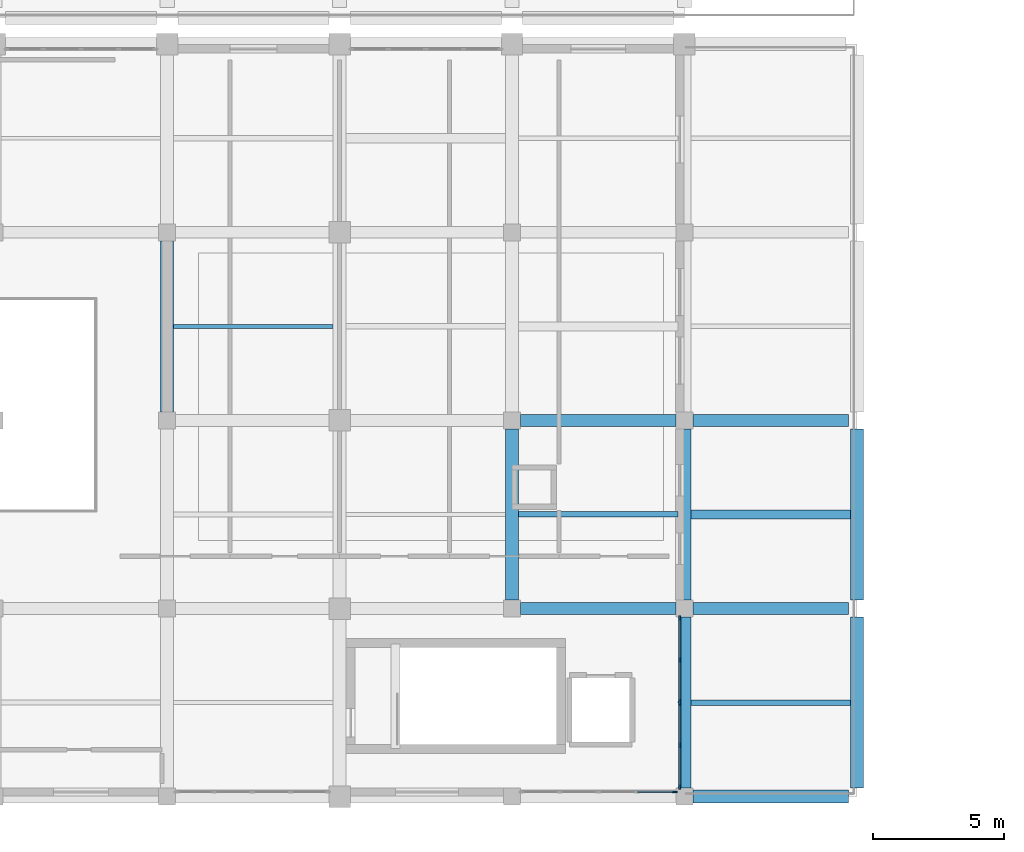
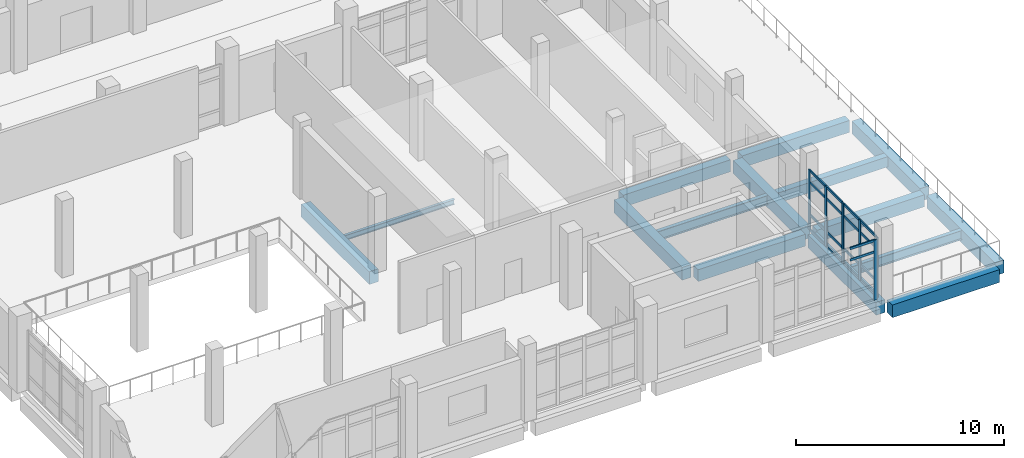
# One storey, part 6 of 54: 25 members, 15 beams, 3 elements without a shape of their own.
"""IFC4 building model written with IfcOpenShell, lengths in metres."""

import ifcopenshell
import ifcopenshell.guid

model = None  # the IFC model being written
_history = None  # IfcOwnerHistory: only IFC2X3 demands one
_inside = {}  # id of a spatial element -> (the spatial element, [elements in it])
_under = {}  # id of a project, library or spatial element -> (it, [spatial elements below it])
_declared = {}  # id of a project -> (the project, [libraries it declares])
_typed = {}  # id of a type object -> (the type object, [elements of that type])
_made_of = {}  # id of a material, layer set ... -> (it, [elements and type objects made of it])


def new_model(schema):
    """Start an empty IFC model of exactly this schema.

    Asked for "IFC4X3", IfcOpenShell would pick the latest addendum, in which some entities
    have other attributes; the version numbers below select the first issue.
    IFC2X3 requires an IfcOwnerHistory on every rooted entity: one is made here for all.
    """
    global model, _history
    if schema == "IFC4X3":
        model = ifcopenshell.file(schema_version=(4, 3, 0, 0))
    else:
        model = ifcopenshell.file(schema=schema)
    _inside.clear()
    _under.clear()
    _declared.clear()
    _typed.clear()
    _made_of.clear()
    _history = None
    if model.schema == "IFC2X3":
        org = make("IfcOrganization", Name="unknown")
        user = make(
            "IfcPersonAndOrganization",
            ThePerson=make("IfcPerson", FamilyName="unknown"),
            TheOrganization=org,
        )
        app = make(
            "IfcApplication",
            ApplicationDeveloper=org,
            Version="unknown",
            ApplicationFullName="unknown",
            ApplicationIdentifier="unknown",
        )
        _history = make(
            "IfcOwnerHistory",
            OwningUser=user,
            OwningApplication=app,
            ChangeAction="ADDED",
            CreationDate=0,
        )
    return model


def make(cls, **values):
    """One entity of the class cls with the attributes given. An attribute that is None is left unset."""
    return model.create_entity(
        cls, **{name: value for name, value in values.items() if value is not None}
    )


def rooted(cls, **values):
    """An entity with a GlobalId (a new one), such as an element, a storey or a relation."""
    return make(cls, GlobalId=ifcopenshell.guid.new(), OwnerHistory=_history, **values)


def si_unit(unit_type, name, prefix=None):
    """IfcSIUnit, for example si_unit("LENGTHUNIT", "METRE", prefix="MILLI")."""
    return make("IfcSIUnit", UnitType=unit_type, Prefix=prefix, Name=name)


def assignment(units):
    """IfcUnitAssignment: the units of a project."""
    return None if units is None else make("IfcUnitAssignment", Units=units)


def point(xyz):
    """IfcCartesianPoint."""
    return None if xyz is None else make("IfcCartesianPoint", Coordinates=xyz)


def direction(xyz):
    """IfcDirection."""
    return None if xyz is None else make("IfcDirection", DirectionRatios=xyz)


def frame(location, z_axis=None, x_axis=None):
    """IfcAxis2Placement3D, a coordinate frame: its origin and axes. An axis left out is left unset."""
    return make(
        "IfcAxis2Placement3D",
        Location=point(location),
        Axis=direction(z_axis),
        RefDirection=direction(x_axis),
    )


def frame_2d(location, x_axis=None):
    """IfcAxis2Placement2D, a coordinate frame in the plane: its origin and x axis."""
    return make(
        "IfcAxis2Placement2D", Location=point(location), RefDirection=direction(x_axis)
    )


def origin():
    """The frame at (0, 0, 0) with its axes left unset."""
    return frame((0.0, 0.0, 0.0))


def origin_2d():
    """The frame at (0, 0) in the plane with its x axis left unset."""
    return frame_2d((0.0, 0.0))


def place(relative_to, where):
    """IfcLocalPlacement: puts the frame where relative to a parent placement (None: the world)."""
    return make(
        "IfcLocalPlacement", PlacementRelTo=relative_to, RelativePlacement=where
    )


def context(
    kind, dimensions, precision=None, world=None, true_north=None, identifier=None
):
    """IfcGeometricRepresentationContext, for example the 3D "Model" context."""
    return make(
        "IfcGeometricRepresentationContext",
        ContextIdentifier=identifier,
        ContextType=kind,
        CoordinateSpaceDimension=dimensions,
        Precision=precision,
        WorldCoordinateSystem=world,
        TrueNorth=true_north,
    )


def subcontext(parent, identifier, kind, view, scale=None):
    """IfcGeometricRepresentationSubContext, for example "Body" below "Model"."""
    return make(
        "IfcGeometricRepresentationSubContext",
        ContextIdentifier=identifier,
        ContextType=kind,
        ParentContext=parent,
        TargetScale=scale,
        TargetView=view,
    )


def project(units=None, contexts=None):
    """IfcProject with its units and contexts."""
    return rooted(
        "IfcProject",
        Name="project",
        RepresentationContexts=contexts,
        UnitsInContext=assignment(units),
    )


def spatial(cls, under=None, at=None, **own):
    """A site, building, storey or space (cls), placed at a placement, below another one or the project."""
    s = rooted(cls, ObjectPlacement=at, **own)
    if under is not None:
        _under.setdefault(under.id(), (under, []))[1].append(s)
    return s


def profile(cls, at=None, kind="AREA", **sizes):
    """A parametric profile (cls). Its sizes go by their IFC names, for example OverallWidth=200.0."""
    return make(cls, ProfileType=kind, Position=at, **sizes)


def rectangle(**sizes):
    """IfcRectangleProfileDef."""
    return profile("IfcRectangleProfileDef", **sizes)


def i_section(**sizes):
    """IfcIShapeProfileDef."""
    return profile("IfcIShapeProfileDef", **sizes)


def extrude(swept, where, along, depth):
    """IfcExtrudedAreaSolid: the profile swept, set in the frame where, extruded along a direction by depth."""
    return make(
        "IfcExtrudedAreaSolid",
        SweptArea=swept,
        Position=where,
        ExtrudedDirection=direction(along),
        Depth=depth,
    )


def shape(context_of_items, identifier, shape_type, items):
    """IfcShapeRepresentation: the items that make up one representation, for example the "Body"."""
    return make(
        "IfcShapeRepresentation",
        ContextOfItems=context_of_items,
        RepresentationIdentifier=identifier,
        RepresentationType=shape_type,
        Items=items,
    )


def material(Name=None, Category=None):
    """IfcMaterial."""
    return make("IfcMaterial", Name=Name, Category=Category)


def layer(
    of_material, thickness, ventilated=None, Name=None, Category=None, Priority=None
):
    """IfcMaterialLayer: one layer of a wall or slab, of a material (None: an air gap)."""
    return make(
        "IfcMaterialLayer",
        Material=of_material,
        LayerThickness=thickness,
        IsVentilated=ventilated,
        Name=Name,
        Category=Category,
        Priority=Priority,
    )


def layer_set(layers, Name=None):
    """IfcMaterialLayerSet."""
    return make("IfcMaterialLayerSet", MaterialLayers=layers, LayerSetName=Name)


def material_profile(
    of_material, cross_section, Name=None, Category=None, Priority=None
):
    """IfcMaterialProfile: a cross section and its material."""
    return make(
        "IfcMaterialProfile",
        Name=Name,
        Material=of_material,
        Profile=cross_section,
        Priority=Priority,
        Category=Category,
    )


def profile_set(profiles, Name=None, composite=None):
    """IfcMaterialProfileSet."""
    return make(
        "IfcMaterialProfileSet",
        Name=Name,
        MaterialProfiles=profiles,
        CompositeProfile=composite,
    )


def made_of(thing, what):
    """Note that an element or type object is made of a material, layer set ...; save() writes the relation."""
    if what is not None:
        _made_of.setdefault(what.id(), (what, []))[1].append(thing)
    return thing


def type_object(cls, material=None, **own):
    """A type object (cls), such as IfcWallType, which elements share."""
    return made_of(rooted(cls, **own), material)


def element(
    cls,
    number,
    at=None,
    inside=None,
    cuts=None,
    type_object=None,
    material=None,
    context=None,
    identifier="Body",
    shape_type=None,
    held_by="IfcProductDefinitionShape",
    body=None,
    shapes=None,
    **own,
):
    """One element of the class cls, such as IfcWall. Its Tag is "e" and its number.

    at: its placement. inside: the storey or other place that contains it. cuts: it is an
    opening in that element (IfcRelVoidsElement). A single representation is given by context,
    identifier, shape_type and body (its items); several are given by shapes. held_by: the class
    of the entity that holds the representations. save() writes the other relations.
    """
    e = rooted(cls, Tag="e%d" % number, ObjectPlacement=at, **own)
    if body is not None:
        shapes = [shape(context, identifier, shape_type, body)]
    if shapes is not None:
        e.Representation = make(held_by, Representations=shapes)
    if inside is not None:
        _inside.setdefault(inside.id(), (inside, []))[1].append(e)
    if cuts is not None:
        rooted(
            "IfcRelVoidsElement", RelatingBuildingElement=cuts, RelatedOpeningElement=e
        )
    if type_object is not None:
        _typed.setdefault(type_object.id(), (type_object, []))[1].append(e)
    return made_of(e, material)


def aggregate(whole, parts):
    """IfcRelAggregates: a whole, such as a stair, and the parts it consists of."""
    return rooted("IfcRelAggregates", RelatingObject=whole, RelatedObjects=parts)


def save(model, path):
    """Write the relations noted so far, then the file.

    IfcRelAggregates (storeys below a building ...), IfcRelContainedInSpatialStructure (elements
    in a storey), IfcRelDefinesByType, IfcRelAssociatesMaterial and IfcRelDeclares: one each for
    every whole, place, type object, material and project.
    """
    for whole, parts in _under.values():
        aggregate(whole, parts)
    for where, things in _inside.values():
        rooted(
            "IfcRelContainedInSpatialStructure",
            RelatedElements=things,
            RelatingStructure=where,
        )
    for kind, things in _typed.values():
        rooted("IfcRelDefinesByType", RelatedObjects=things, RelatingType=kind)
    for what, things in _made_of.values():
        rooted("IfcRelAssociatesMaterial", RelatedObjects=things, RelatingMaterial=what)
    for by, libraries in _declared.values():
        rooted("IfcRelDeclares", RelatingContext=by, RelatedDefinitions=libraries)
    model.write(path)


model = new_model("IFC4")

# Units and contexts
model_context = context("Model", 3, precision=1e-05, world=origin(), true_north=direction((0.0, 1.0)))
body_context = subcontext(model_context, "Body", "Model", "MODEL_VIEW")
ifc_project = project(units=[si_unit("LENGTHUNIT", "METRE"), si_unit("AREAUNIT", "SQUARE_METRE"), si_unit("VOLUMEUNIT", "CUBIC_METRE"), si_unit("PLANEANGLEUNIT", "RADIAN"), si_unit("MASSUNIT", "GRAM", prefix="KILO")], contexts=[model_context])

# Site, building, storey
site_placement = place(None, origin())
site = spatial("IfcSite", under=ifc_project, at=site_placement, CompositionType="ELEMENT")
building_placement = place(site_placement, origin())
building = spatial("IfcBuilding", under=site, at=building_placement, Name="Kelarvand Opera House", CompositionType="ELEMENT")
storey_placement = place(building_placement, frame((0.0, 0.0, 15.0)))
storey = spatial("IfcBuildingStorey", under=building, at=storey_placement, Name="L03", CompositionType="ELEMENT", Elevation=15.0)

# Curtain wall, members
ifc_material_1 = material(Name="Thermally broken aluminium and low-E glazing", Category="aluminium")
ifc_layer_1 = layer(ifc_material_1, 0.179931640625, Name="Thermally broken aluminium and low-E glazing", Category="aluminium")
ifc_layer_set_1 = layer_set([ifc_layer_1], Name="Thermally broken aluminium and low-E glazing")
curtain_wall_type_1 = type_object("IfcCurtainWallType", Name="Unitised Low-E Curtain Wall 3261x3530 Mod 1350 CWF-57", PredefinedType="USERDEFINED", material=ifc_layer_set_1)
curtain_wall_1_placement = place(storey_placement, origin())
curtain_wall_1 = element("IfcCurtainWall", 1, at=curtain_wall_1_placement, inside=storey, type_object=curtain_wall_type_1, Name="V6 L03 Curtain Wall CWF-57 (229)", ObjectType="UNITISED CURTAIN WALL", PredefinedType="USERDEFINED")
ifc_material_2 = material(Name="Thermally broken anodised aluminium", Category="aluminium")
ifc_material_profile_1 = material_profile(ifc_material_2, rectangle(XDim=0.06494140625, YDim=0.179931640625, at=origin_2d()), Name="ALU MULLION 65x180", Category="aluminium")
ifc_profile_set_1 = profile_set([ifc_material_profile_1], Name="Thermally broken anodised aluminium")
member_type_1 = type_object("IfcMemberType", Name="Curtain Wall Mullion 65x180 Aluminium", PredefinedType="MULLION", material=ifc_profile_set_1)
member_1_placement = place(storey_placement, frame((128.419921875, 15.83251953125, 0.0), z_axis=(0.0, 0.0, 1.0), x_axis=(1.0, 0.0, 0.0)))
member_1 = element("IfcMember", 2, at=member_1_placement, type_object=member_type_1, Name="CWF-57 mullion 1", PredefinedType="MULLION", context=body_context, shape_type="SweptSolid", body=[
    extrude(rectangle(XDim=0.06494140625, YDim=0.179931640625, at=origin_2d()), origin(), (0.0, 0.0, 1.0), 3.530029296875),
])
member_2_placement = place(storey_placement, frame((128.419921875, 14.234619140625, 0.0), z_axis=(0.0, 0.0, 1.0), x_axis=(1.0, 0.0, 0.0)))
member_2 = element("IfcMember", 3, at=member_2_placement, type_object=member_type_1, Name="CWF-57 mullion 2", PredefinedType="MULLION", context=body_context, shape_type="SweptSolid", body=[
    extrude(rectangle(XDim=0.06494140625, YDim=0.179931640625, at=origin_2d()), origin(), (0.0, 0.0, 1.0), 3.530029296875),
])
member_3_placement = place(storey_placement, frame((128.419921875, 12.636474609375, 0.0), z_axis=(0.0, 0.0, 1.0), x_axis=(1.0, 0.0, 0.0)))
member_3 = element("IfcMember", 4, at=member_3_placement, type_object=member_type_1, Name="CWF-57 mullion 3", PredefinedType="MULLION", context=body_context, shape_type="SweptSolid", body=[
    extrude(rectangle(XDim=0.06494140625, YDim=0.179931640625, at=origin_2d()), origin(), (0.0, 0.0, 1.0), 3.530029296875),
])

curtain_wall_2_placement = place(storey_placement, origin())
curtain_wall_2 = element("IfcCurtainWall", 5, at=curtain_wall_2_placement, inside=storey, type_object=curtain_wall_type_1, Name="V6 L03 Curtain Wall CWF-57 (230)", ObjectType="UNITISED CURTAIN WALL", PredefinedType="USERDEFINED")
member_4_placement = place(storey_placement, frame((128.419921875, 12.5673828125, 0.0), z_axis=(0.0, 0.0, 1.0), x_axis=(1.0, 0.0, 0.0)))
member_4 = element("IfcMember", 6, at=member_4_placement, type_object=member_type_1, Name="CWF-57 mullion 1", PredefinedType="MULLION", context=body_context, shape_type="SweptSolid", body=[
    extrude(rectangle(XDim=0.06494140625, YDim=0.179931640625, at=origin_2d()), origin(), (0.0, 0.0, 1.0), 3.530029296875),
])
member_5_placement = place(storey_placement, frame((128.419921875, 10.967529296875, 0.0), z_axis=(0.0, 0.0, 1.0), x_axis=(1.0, 0.0, 0.0)))
member_5 = element("IfcMember", 7, at=member_5_placement, type_object=member_type_1, Name="CWF-57 mullion 2", PredefinedType="MULLION", context=body_context, shape_type="SweptSolid", body=[
    extrude(rectangle(XDim=0.06494140625, YDim=0.179931640625, at=origin_2d()), origin(), (0.0, 0.0, 1.0), 3.530029296875),
])
member_6_placement = place(storey_placement, frame((128.419921875, 9.367431640625, 0.0), z_axis=(0.0, 0.0, 1.0), x_axis=(1.0, 0.0, 0.0)))
member_6 = element("IfcMember", 8, at=member_6_placement, type_object=member_type_1, Name="CWF-57 mullion 3", PredefinedType="MULLION", context=body_context, shape_type="SweptSolid", body=[
    extrude(rectangle(XDim=0.06494140625, YDim=0.179931640625, at=origin_2d()), origin(), (0.0, 0.0, 1.0), 3.530029296875),
])

# Curtain wall, member
ifc_layer_2 = layer(ifc_material_1, 0.179931640625, Name="Thermally broken aluminium and low-E glazing", Category="aluminium")
ifc_layer_set_2 = layer_set([ifc_layer_2], Name="Thermally broken aluminium and low-E glazing")
curtain_wall_type_2 = type_object("IfcCurtainWallType", Name="Unitised Low-E Curtain Wall 5930x3530 Mod 1350 CWF-60", PredefinedType="USERDEFINED", material=ifc_layer_set_2)
curtain_wall_3_placement = place(storey_placement, origin())
curtain_wall_3 = element("IfcCurtainWall", 9, at=curtain_wall_3_placement, inside=storey, type_object=curtain_wall_type_2, Name="V6 L03 Curtain Wall CWF-60 (238)", ObjectType="UNITISED CURTAIN WALL", PredefinedType="USERDEFINED")
member_7_placement = place(storey_placement, frame((128.232421875, 9.179931640625, 0.0), z_axis=(0.0, 0.0, 1.0), x_axis=(0.0, -1.0, 0.0)))
member_7 = element("IfcMember", 10, at=member_7_placement, type_object=member_type_1, Name="CWF-60 mullion 1", PredefinedType="MULLION", context=body_context, shape_type="SweptSolid", body=[
    extrude(rectangle(XDim=0.06494140625, YDim=0.179931640625, at=origin_2d()), origin(), (0.0, 0.0, 1.0), 3.530029296875),
])

# Member
ifc_material_profile_2 = material_profile(ifc_material_2, rectangle(XDim=0.06494140625, YDim=0.139892578125, at=origin_2d()), Name="ALU TRANSOM 65x140", Category="aluminium")
ifc_profile_set_2 = profile_set([ifc_material_profile_2], Name="Thermally broken anodised aluminium")
member_type_2 = type_object("IfcMemberType", Name="Curtain Wall Transom 65x140 Aluminium", PredefinedType="USERDEFINED", material=ifc_profile_set_2)
member_8_placement = place(storey_placement, frame((128.419921875, 15.800048828125, 0.032470703125), z_axis=(0.0, -1.0, 0.0), x_axis=(1.0, 0.0, 0.0)))
member_8 = element("IfcMember", 11, at=member_8_placement, type_object=member_type_2, Name="CWF-57 transom 1.1", ObjectType="TRANSOM", PredefinedType="USERDEFINED", context=body_context, shape_type="SweptSolid", body=[
    extrude(rectangle(XDim=0.06494140625, YDim=0.139892578125, at=origin_2d()), origin(), (0.0, 0.0, 1.0), 1.532958984375),
])

member_9_placement = place(storey_placement, frame((128.419921875, 15.800048828125, 0.89990234375), z_axis=(0.0, -1.0, 0.0), x_axis=(1.0, 0.0, 0.0)))
member_9 = element("IfcMember", 12, at=member_9_placement, type_object=member_type_2, Name="CWF-57 transom 1.2", ObjectType="TRANSOM", PredefinedType="USERDEFINED", context=body_context, shape_type="SweptSolid", body=[
    extrude(rectangle(XDim=0.06494140625, YDim=0.139892578125, at=origin_2d()), origin(), (0.0, 0.0, 1.0), 1.532958984375),
])

member_10_placement = place(storey_placement, frame((128.419921875, 15.800048828125, 2.830078125), z_axis=(0.0, -1.0, 0.0), x_axis=(1.0, 0.0, 0.0)))
member_10 = element("IfcMember", 13, at=member_10_placement, type_object=member_type_2, Name="CWF-57 transom 1.3", ObjectType="TRANSOM", PredefinedType="USERDEFINED", context=body_context, shape_type="SweptSolid", body=[
    extrude(rectangle(XDim=0.06494140625, YDim=0.139892578125, at=origin_2d()), origin(), (0.0, 0.0, 1.0), 1.532958984375),
])

member_11_placement = place(storey_placement, frame((128.419921875, 15.800048828125, 3.49755859375), z_axis=(0.0, -1.0, 0.0), x_axis=(1.0, 0.0, 0.0)))
member_11 = element("IfcMember", 14, at=member_11_placement, type_object=member_type_2, Name="CWF-57 transom 1.4", ObjectType="TRANSOM", PredefinedType="USERDEFINED", context=body_context, shape_type="SweptSolid", body=[
    extrude(rectangle(XDim=0.06494140625, YDim=0.139892578125, at=origin_2d()), origin(), (0.0, 0.0, 1.0), 1.532958984375),
])

member_12_placement = place(storey_placement, frame((128.419921875, 14.201904296875, 0.032470703125), z_axis=(0.0, -1.0, 0.0), x_axis=(1.0, 0.0, 0.0)))
member_12 = element("IfcMember", 15, at=member_12_placement, type_object=member_type_2, Name="CWF-57 transom 2.1", ObjectType="TRANSOM", PredefinedType="USERDEFINED", context=body_context, shape_type="SweptSolid", body=[
    extrude(rectangle(XDim=0.06494140625, YDim=0.139892578125, at=origin_2d()), origin(), (0.0, 0.0, 1.0), 1.532958984375),
])

member_13_placement = place(storey_placement, frame((128.419921875, 14.201904296875, 0.89990234375), z_axis=(0.0, -1.0, 0.0), x_axis=(1.0, 0.0, 0.0)))
member_13 = element("IfcMember", 16, at=member_13_placement, type_object=member_type_2, Name="CWF-57 transom 2.2", ObjectType="TRANSOM", PredefinedType="USERDEFINED", context=body_context, shape_type="SweptSolid", body=[
    extrude(rectangle(XDim=0.06494140625, YDim=0.139892578125, at=origin_2d()), origin(), (0.0, 0.0, 1.0), 1.532958984375),
])

member_14_placement = place(storey_placement, frame((128.419921875, 14.201904296875, 2.830078125), z_axis=(0.0, -1.0, 0.0), x_axis=(1.0, 0.0, 0.0)))
member_14 = element("IfcMember", 17, at=member_14_placement, type_object=member_type_2, Name="CWF-57 transom 2.3", ObjectType="TRANSOM", PredefinedType="USERDEFINED", context=body_context, shape_type="SweptSolid", body=[
    extrude(rectangle(XDim=0.06494140625, YDim=0.139892578125, at=origin_2d()), origin(), (0.0, 0.0, 1.0), 1.532958984375),
])

member_15_placement = place(storey_placement, frame((128.419921875, 14.201904296875, 3.49755859375), z_axis=(0.0, -1.0, 0.0), x_axis=(1.0, 0.0, 0.0)))
member_15 = element("IfcMember", 18, at=member_15_placement, type_object=member_type_2, Name="CWF-57 transom 2.4", ObjectType="TRANSOM", PredefinedType="USERDEFINED", context=body_context, shape_type="SweptSolid", body=[
    extrude(rectangle(XDim=0.06494140625, YDim=0.139892578125, at=origin_2d()), origin(), (0.0, 0.0, 1.0), 1.532958984375),
])

aggregate(curtain_wall_1, [member_1, member_2, member_3, member_8, member_9, member_10, member_11, member_12, member_13, member_14, member_15])

member_16_placement = place(storey_placement, frame((128.419921875, 12.534912109375, 0.032470703125), z_axis=(0.0, -1.0, 0.0), x_axis=(1.0, 0.0, 0.0)))
member_16 = element("IfcMember", 19, at=member_16_placement, type_object=member_type_2, Name="CWF-57 transom 1.1", ObjectType="TRANSOM", PredefinedType="USERDEFINED", context=body_context, shape_type="SweptSolid", body=[
    extrude(rectangle(XDim=0.06494140625, YDim=0.139892578125, at=origin_2d()), origin(), (0.0, 0.0, 1.0), 1.534912109375),
])

member_17_placement = place(storey_placement, frame((128.419921875, 12.534912109375, 0.89990234375), z_axis=(0.0, -1.0, 0.0), x_axis=(1.0, 0.0, 0.0)))
member_17 = element("IfcMember", 20, at=member_17_placement, type_object=member_type_2, Name="CWF-57 transom 1.2", ObjectType="TRANSOM", PredefinedType="USERDEFINED", context=body_context, shape_type="SweptSolid", body=[
    extrude(rectangle(XDim=0.06494140625, YDim=0.139892578125, at=origin_2d()), origin(), (0.0, 0.0, 1.0), 1.534912109375),
])

member_18_placement = place(storey_placement, frame((128.419921875, 12.534912109375, 2.830078125), z_axis=(0.0, -1.0, 0.0), x_axis=(1.0, 0.0, 0.0)))
member_18 = element("IfcMember", 21, at=member_18_placement, type_object=member_type_2, Name="CWF-57 transom 1.3", ObjectType="TRANSOM", PredefinedType="USERDEFINED", context=body_context, shape_type="SweptSolid", body=[
    extrude(rectangle(XDim=0.06494140625, YDim=0.139892578125, at=origin_2d()), origin(), (0.0, 0.0, 1.0), 1.534912109375),
])

member_19_placement = place(storey_placement, frame((128.419921875, 12.534912109375, 3.49755859375), z_axis=(0.0, -1.0, 0.0), x_axis=(1.0, 0.0, 0.0)))
member_19 = element("IfcMember", 22, at=member_19_placement, type_object=member_type_2, Name="CWF-57 transom 1.4", ObjectType="TRANSOM", PredefinedType="USERDEFINED", context=body_context, shape_type="SweptSolid", body=[
    extrude(rectangle(XDim=0.06494140625, YDim=0.139892578125, at=origin_2d()), origin(), (0.0, 0.0, 1.0), 1.534912109375),
])

member_20_placement = place(storey_placement, frame((128.419921875, 10.93505859375, 0.032470703125), z_axis=(0.0, -1.0, 0.0), x_axis=(1.0, 0.0, 0.0)))
member_20 = element("IfcMember", 23, at=member_20_placement, type_object=member_type_2, Name="CWF-57 transom 2.1", ObjectType="TRANSOM", PredefinedType="USERDEFINED", context=body_context, shape_type="SweptSolid", body=[
    extrude(rectangle(XDim=0.06494140625, YDim=0.139892578125, at=origin_2d()), origin(), (0.0, 0.0, 1.0), 1.53515625),
])

member_21_placement = place(storey_placement, frame((128.419921875, 10.93505859375, 0.89990234375), z_axis=(0.0, -1.0, 0.0), x_axis=(1.0, 0.0, 0.0)))
member_21 = element("IfcMember", 24, at=member_21_placement, type_object=member_type_2, Name="CWF-57 transom 2.2", ObjectType="TRANSOM", PredefinedType="USERDEFINED", context=body_context, shape_type="SweptSolid", body=[
    extrude(rectangle(XDim=0.06494140625, YDim=0.139892578125, at=origin_2d()), origin(), (0.0, 0.0, 1.0), 1.53515625),
])

member_22_placement = place(storey_placement, frame((128.419921875, 10.93505859375, 2.830078125), z_axis=(0.0, -1.0, 0.0), x_axis=(1.0, 0.0, 0.0)))
member_22 = element("IfcMember", 25, at=member_22_placement, type_object=member_type_2, Name="CWF-57 transom 2.3", ObjectType="TRANSOM", PredefinedType="USERDEFINED", context=body_context, shape_type="SweptSolid", body=[
    extrude(rectangle(XDim=0.06494140625, YDim=0.139892578125, at=origin_2d()), origin(), (0.0, 0.0, 1.0), 1.53515625),
])

member_23_placement = place(storey_placement, frame((128.419921875, 10.93505859375, 3.49755859375), z_axis=(0.0, -1.0, 0.0), x_axis=(1.0, 0.0, 0.0)))
member_23 = element("IfcMember", 26, at=member_23_placement, type_object=member_type_2, Name="CWF-57 transom 2.4", ObjectType="TRANSOM", PredefinedType="USERDEFINED", context=body_context, shape_type="SweptSolid", body=[
    extrude(rectangle(XDim=0.06494140625, YDim=0.139892578125, at=origin_2d()), origin(), (0.0, 0.0, 1.0), 1.53515625),
])

aggregate(curtain_wall_2, [member_4, member_5, member_6, member_16, member_17, member_18, member_19, member_20, member_21, member_22, member_23])

member_24_placement = place(storey_placement, frame((128.199951171875, 9.179931640625, 2.830078125), z_axis=(-1.0, 0.0, 0.0), x_axis=(0.0, -1.0, 0.0)))
member_24 = element("IfcMember", 27, at=member_24_placement, type_object=member_type_2, Name="CWF-60 transom 1.3", ObjectType="TRANSOM", PredefinedType="USERDEFINED", context=body_context, shape_type="SweptSolid", body=[
    extrude(rectangle(XDim=0.06494140625, YDim=0.139892578125, at=origin_2d()), origin(), (0.0, 0.0, 1.0), 1.385009765625),
])

member_25_placement = place(storey_placement, frame((128.199951171875, 9.179931640625, 3.49755859375), z_axis=(-1.0, 0.0, 0.0), x_axis=(0.0, -1.0, 0.0)))
member_25 = element("IfcMember", 28, at=member_25_placement, type_object=member_type_2, Name="CWF-60 transom 1.4", ObjectType="TRANSOM", PredefinedType="USERDEFINED", context=body_context, shape_type="SweptSolid", body=[
    extrude(rectangle(XDim=0.06494140625, YDim=0.139892578125, at=origin_2d()), origin(), (0.0, 0.0, 1.0), 1.385009765625),
])

aggregate(curtain_wall_3, [member_7, member_24, member_25])

# Beams
ifc_material_3 = material(Name="Concrete C35/45", Category="concrete")
ifc_material_profile_3 = material_profile(ifc_material_3, rectangle(XDim=0.35009765625, YDim=0.60009765625, at=origin_2d()), Name="RC 350x600", Category="concrete")
ifc_profile_set_3 = profile_set([ifc_material_profile_3], Name="Concrete C35/45")
beam_type_1 = type_object("IfcBeamType", Name="Structural Beam RC 350x600 BM-RC350x600", PredefinedType="BEAM", material=ifc_profile_set_3)
beam_1_placement = place(storey_placement, frame((128.85009765625, 19.800048828125, -0.60009765625), z_axis=(1.0, 0.0, 0.0), x_axis=(0.0, 1.0, 0.0)))
element("IfcBeam", 29, at=beam_1_placement, inside=storey, type_object=beam_type_1, Name="V6 L03 Beam BM-RC350x600", PredefinedType="BEAM", context=body_context, shape_type="SweptSolid", body=[
    extrude(rectangle(XDim=0.35009765625, YDim=0.60009765625, at=origin_2d()), origin(), (0.0, 0.0, 1.0), 6.099853515625),
])
ifc_material_4 = material(Name="Concrete C40/50", Category="concrete")
ifc_material_profile_4 = material_profile(ifc_material_4, rectangle(XDim=0.449951171875, YDim=0.699951171875, at=origin_2d()), Name="RC 450x700", Category="concrete")
ifc_profile_set_4 = profile_set([ifc_material_profile_4], Name="Concrete C40/50")
beam_type_2 = type_object("IfcBeamType", Name="Structural Beam RC 450x700 BM-RC450x700", PredefinedType="BEAM", material=ifc_profile_set_4)
for number, where, z_axis, x_axis, name in (
    (30, (122.324951171875, 16.199951171875, -0.64990234375), (1.0, 0.0, 0.0), (0.0, 1.0, 0.0), "V6 L03 Beam BM-RC450x700"),
    (31, (128.925048828125, 16.199951171875, -0.64990234375), (1.0, 0.0, 0.0), (0.0, 1.0, 0.0), "V6 L03 Beam BM-RC450x700"),
    (32, (122.324951171875, 23.39990234375, -0.64990234375), (1.0, 0.0, 0.0), (0.0, 1.0, 0.0), "V6 L03 Beam BM-RC450x700"),
    (33, (128.925048828125, 23.39990234375, -0.64990234375), (1.0, 0.0, 0.0), (0.0, 1.0, 0.0), "V6 L03 Beam BM-RC450x700"),
):
    element("IfcBeam", number, at=place(storey_placement, frame(where, z_axis=z_axis, x_axis=x_axis)), inside=storey, type_object=beam_type_2, Name=name, PredefinedType="BEAM", context=body_context, shape_type="SweptSolid", body=[
        extrude(rectangle(XDim=0.449951171875, YDim=0.699951171875, at=origin_2d()), origin(), (0.0, 0.0, 1.0), 5.949951171875),
    ])
ifc_material_profile_5 = material_profile(ifc_material_4, rectangle(XDim=0.5, YDim=0.75, at=origin_2d()), Name="RC 500x750", Category="concrete")
ifc_profile_set_5 = profile_set([ifc_material_profile_5], Name="Concrete C40/50")
beam_type_3 = type_object("IfcBeamType", Name="Structural Beam RC 500x750 BM-RC500x750", PredefinedType="BEAM", material=ifc_profile_set_5)
beam_2_placement = place(storey_placement, frame((108.800048828125, 23.72509765625, -0.675048828125), z_axis=(0.0, 1.0, 0.0), x_axis=(-1.0, 0.0, 0.0)))
element("IfcBeam", 34, at=beam_2_placement, inside=storey, type_object=beam_type_3, Name="V6 L03 Beam BM-RC500x750", PredefinedType="BEAM", context=body_context, shape_type="SweptSolid", body=[
    extrude(rectangle(XDim=0.5, YDim=0.75, at=origin_2d()), origin(), (0.0, 0.0, 1.0), 6.5498046875),
])
for number, where, z_axis, x_axis, name in (
    (35, (122.0, 16.52490234375, -0.675048828125), (0.0, 1.0, 0.0), (-1.0, 0.0, 0.0), "V6 L03 Beam BM-RC500x750"),
    (36, (128.60009765625, 9.324951171875, -0.675048828125), (0.0, 1.0, 0.0), (-1.0, 0.0, 0.0), "V6 L03 Beam BM-RC500x750"),
    (37, (128.60009765625, 16.52490234375, -0.675048828125), (0.0, 1.0, 0.0), (-1.0, 0.0, 0.0), "V6 L03 Beam BM-RC500x750"),
    (38, (135.199951171875, 9.324951171875, -0.675048828125), (0.0, 1.0, 0.0), (-1.0, 0.0, 0.0), "V6 L03 Beam BM-RC500x750"),
    (39, (135.199951171875, 16.52490234375, -0.675048828125), (0.0, 1.0, 0.0), (-1.0, 0.0, 0.0), "V6 L03 Beam BM-RC500x750"),
):
    element("IfcBeam", number, at=place(storey_placement, frame(where, z_axis=z_axis, x_axis=x_axis)), inside=storey, type_object=beam_type_3, Name=name, PredefinedType="BEAM", context=body_context, shape_type="SweptSolid", body=[
        extrude(rectangle(XDim=0.5, YDim=0.75, at=origin_2d()), origin(), (0.0, 0.0, 1.0), 6.550048828125),
    ])
ifc_material_5 = material(Name="Steel S355", Category="steel")
ifc_material_profile_6 = material_profile(ifc_material_5, i_section(OverallWidth=0.14990234375, OverallDepth=0.300048828125, WebThickness=0.007080078125, FlangeThickness=0.0107421875, at=origin_2d()), Name="IPE 300", Category="steel")
ifc_profile_set_6 = profile_set([ifc_material_profile_6], Name="Steel S355")
beam_type_4 = type_object("IfcBeamType", Name="Structural Joist IPE 300 JS-IPE300", PredefinedType="JOIST", material=ifc_profile_set_6)
beam_3_placement = place(storey_placement, frame((109.050048828125, 27.0, -0.449951171875), z_axis=(1.0, 0.0, 0.0), x_axis=(0.0, 1.0, 0.0)))
element("IfcBeam", 40, at=beam_3_placement, inside=storey, type_object=beam_type_4, Name="V6 L03 Beam JS-IPE300", PredefinedType="JOIST", context=body_context, shape_type="SweptSolid", body=[
    extrude(i_section(OverallWidth=0.14990234375, OverallDepth=0.300048828125, WebThickness=0.007080078125, FlangeThickness=0.0107421875, at=origin_2d()), origin(), (0.0, 0.0, 1.0), 6.099853515625),
])
ifc_material_profile_7 = material_profile(ifc_material_5, i_section(OverallWidth=0.2099609375, OverallDepth=0.550048828125, WebThickness=0.010986328125, FlangeThickness=0.01708984375, at=origin_2d()), Name="IPE 550", Category="steel")
ifc_profile_set_7 = profile_set([ifc_material_profile_7], Name="Steel S355")
beam_type_5 = type_object("IfcBeamType", Name="Structural Joist IPE 550 JS-IPE550", PredefinedType="JOIST", material=ifc_profile_set_7)
beam_4_placement = place(storey_placement, frame((122.25, 19.800048828125, -0.574951171875), z_axis=(1.0, 0.0, 0.0), x_axis=(0.0, 1.0, 0.0)))
element("IfcBeam", 41, at=beam_4_placement, inside=storey, type_object=beam_type_5, Name="V6 L03 Beam JS-IPE550", PredefinedType="JOIST", context=body_context, shape_type="SweptSolid", body=[
    extrude(i_section(OverallWidth=0.2099609375, OverallDepth=0.550048828125, WebThickness=0.010986328125, FlangeThickness=0.01708984375, at=origin_2d()), origin(), (0.0, 0.0, 1.0), 6.10009765625),
])
beam_5_placement = place(storey_placement, frame((128.85009765625, 12.60009765625, -0.574951171875), z_axis=(1.0, 0.0, 0.0), x_axis=(0.0, 1.0, 0.0)))
element("IfcBeam", 42, at=beam_5_placement, inside=storey, type_object=beam_type_5, Name="V6 L03 Beam JS-IPE550", PredefinedType="JOIST", context=body_context, shape_type="SweptSolid", body=[
    extrude(i_section(OverallWidth=0.2099609375, OverallDepth=0.550048828125, WebThickness=0.010986328125, FlangeThickness=0.01708984375, at=origin_2d()), origin(), (0.0, 0.0, 1.0), 6.099853515625),
])
ifc_material_profile_8 = material_profile(ifc_material_4, rectangle(XDim=0.5, YDim=0.75, at=origin_2d()), Name="RC 500x750", Category="concrete")
ifc_profile_set_8 = profile_set([ifc_material_profile_8], Name="Concrete C40/50")
beam_type_6 = type_object("IfcBeamType", Name="Structural Spandrel RC 500x750 SP-RC500x750E", PredefinedType="SPANDREL", material=ifc_profile_set_8)
beam_6_placement = place(storey_placement, frame((128.925048828125, 9.0, -0.675048828125), z_axis=(1.0, 0.0, 0.0), x_axis=(0.0, 1.0, 0.0)))
element("IfcBeam", 43, at=beam_6_placement, inside=storey, type_object=beam_type_6, Name="V6 L03 Beam SP-RC500x750E", PredefinedType="SPANDREL", context=body_context, shape_type="SweptSolid", body=[
    extrude(rectangle(XDim=0.5, YDim=0.75, at=origin_2d()), origin(), (0.0, 0.0, 1.0), 5.949951171875),
])

save(model, "model.ifc")
